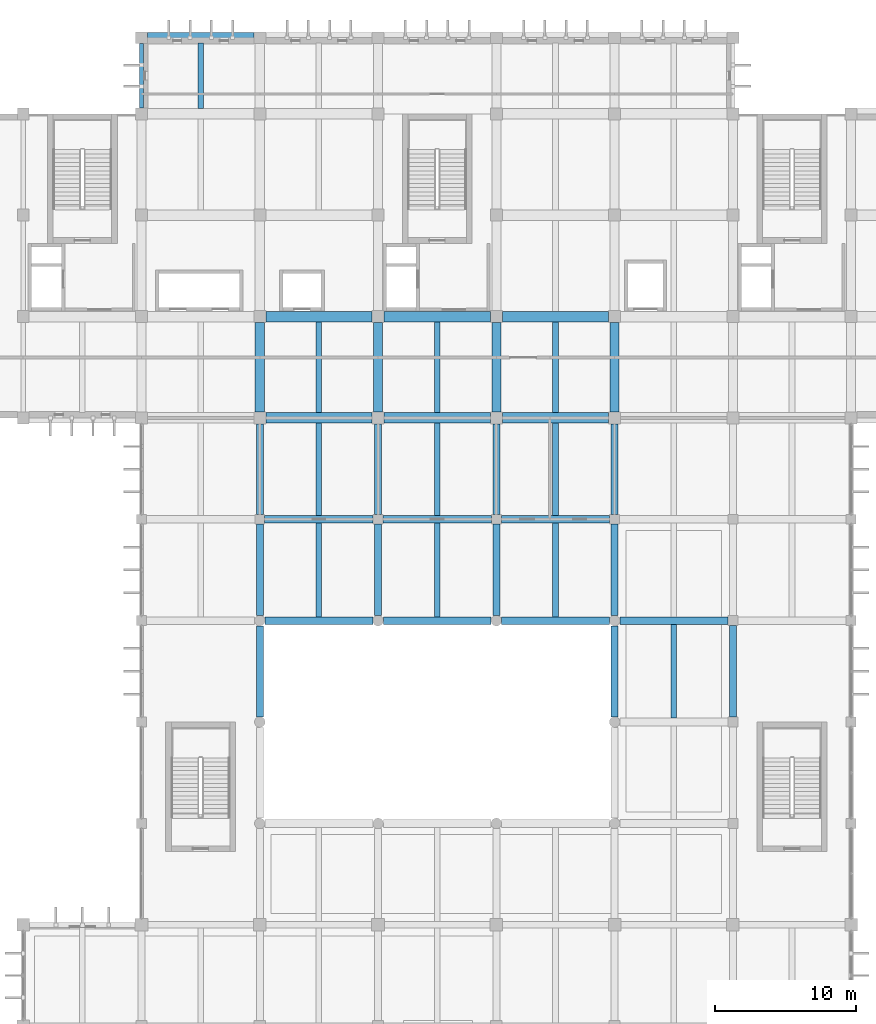
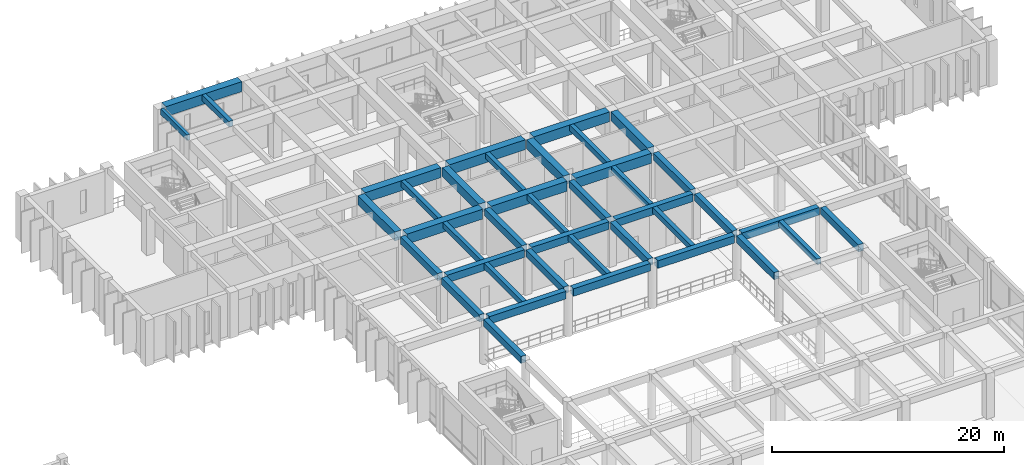
# One storey, part 20 of 51: 41 beams.
"""IFC4 building model written with IfcOpenShell, lengths in metres."""

from ifc_helpers import new_model, si_unit, direction, frame, origin, origin_2d, place, context, subcontext, project, spatial, rectangle, extrude, material, material_profile, profile_set, type_object, element, save


model = new_model("IFC4")

# Units and contexts
model_context = context("Model", 3, precision=1e-05, world=origin(), true_north=direction((0.0, 1.0)))
body_context = subcontext(model_context, "Body", "Model", "MODEL_VIEW")
ifc_project = project(units=[si_unit("LENGTHUNIT", "METRE"), si_unit("AREAUNIT", "SQUARE_METRE"), si_unit("VOLUMEUNIT", "CUBIC_METRE"), si_unit("PLANEANGLEUNIT", "RADIAN"), si_unit("MASSUNIT", "GRAM", prefix="KILO")], contexts=[model_context])

# Site, building, storey
site_placement = place(None, origin())
site = spatial("IfcSite", under=ifc_project, at=site_placement, CompositionType="ELEMENT")
building_placement = place(site_placement, origin())
building = spatial("IfcBuilding", under=site, at=building_placement, Name="Kenerak Square Central Library", CompositionType="ELEMENT")
storey_placement = place(building_placement, frame((0.0, 0.0, 9.60009765625)))
storey = spatial("IfcBuildingStorey", under=building, at=storey_placement, Name="L02", CompositionType="ELEMENT", Elevation=9.60009765625)

# Beams
ifc_material_1 = material(Name="Concrete C45/55", Category="concrete")
ifc_material_profile_1 = material_profile(ifc_material_1, rectangle(XDim=0.64990234375, YDim=0.949951171875, at=origin_2d()), Name="RC 650x950")
ifc_profile_set_1 = profile_set([ifc_material_profile_1], Name="Concrete C45/55")
beam_type_1 = type_object("IfcBeamType", Name="Book Stack Girder B-02 RC 650x950 C45/55", PredefinedType="BEAM", material=ifc_profile_set_1)
for number, where, z_axis, x_axis, name in (
    (1, (75.199951171875, 89.22509765625, 4.324951171875), (0.0, 1.0, 0.0), (-1.0, 0.0, 0.0), "Beam B-02 L02 1303"),
    (2, (83.60009765625, 89.22509765625, 4.324951171875), (0.0, 1.0, 0.0), (-1.0, 0.0, 0.0), "Beam B-02 L02 1311"),
    (3, (92.0, 89.22509765625, 4.324951171875), (0.0, 1.0, 0.0), (-1.0, 0.0, 0.0), "Beam B-02 L02 1319"),
    (4, (100.39990234375, 89.22509765625, 4.324951171875), (0.0, 1.0, 0.0), (-1.0, 0.0, 0.0), "Beam B-02 L02 1329"),
):
    element("IfcBeam", number, at=place(storey_placement, frame(where, z_axis=z_axis, x_axis=x_axis)), inside=storey, type_object=beam_type_1, Name=name, PredefinedType="BEAM", context=body_context, shape_type="SweptSolid", body=[
        extrude(rectangle(XDim=0.64990234375, YDim=0.949951171875, at=origin_2d()), origin(), (0.0, 0.0, 1.0), 6.349853515625),
    ])
ifc_material_profile_2 = material_profile(ifc_material_1, rectangle(XDim=0.75, YDim=1.050048828125, at=origin_2d()), Name="RC 750x1050")
ifc_profile_set_2 = profile_set([ifc_material_profile_2], Name="Concrete C45/55")
beam_type_2 = type_object("IfcBeamType", Name="Compact Stack Girder B-01 RC 750x1050 C45/55", PredefinedType="BEAM", material=ifc_profile_set_2)
for number, where, z_axis, x_axis, name in (
    (5, (75.625, 88.800048828125, 4.27490234375), (1.0, 0.0, 0.0), (0.0, 1.0, 0.0), "Beam B-01 L02 1244"),
    (6, (84.02490234375, 88.800048828125, 4.27490234375), (1.0, 0.0, 0.0), (0.0, 1.0, 0.0), "Beam B-01 L02 1245"),
    (7, (92.425048828125, 88.800048828125, 4.27490234375), (1.0, 0.0, 0.0), (0.0, 1.0, 0.0), "Beam B-01 L02 1246"),
    (8, (75.625, 96.0, 4.27490234375), (1.0, 0.0, 0.0), (0.0, 1.0, 0.0), "Beam B-01 L02 1252"),
    (9, (84.02490234375, 96.0, 4.27490234375), (1.0, 0.0, 0.0), (0.0, 1.0, 0.0), "Beam B-01 L02 1253"),
    (10, (92.425048828125, 96.0, 4.27490234375), (1.0, 0.0, 0.0), (0.0, 1.0, 0.0), "Beam B-01 L02 1254"),
):
    element("IfcBeam", number, at=place(storey_placement, frame(where, z_axis=z_axis, x_axis=x_axis)), inside=storey, type_object=beam_type_2, Name=name, PredefinedType="BEAM", context=body_context, shape_type="SweptSolid", body=[
        extrude(rectangle(XDim=0.75, YDim=1.050048828125, at=origin_2d()), origin(), (0.0, 0.0, 1.0), 7.550048828125),
    ])
beam_1_placement = place(storey_placement, frame((67.22509765625, 115.800048828125, 4.27490234375), z_axis=(1.0, 0.0, 0.0), x_axis=(0.0, 1.0, 0.0)))
element("IfcBeam", 11, at=beam_1_placement, inside=storey, type_object=beam_type_2, Name="Beam B-01 L02 1268", PredefinedType="BEAM", context=body_context, shape_type="SweptSolid", body=[
    extrude(rectangle(XDim=0.75, YDim=1.050048828125, at=origin_2d()), origin(), (0.0, 0.0, 1.0), 7.5498046875),
])
ifc_material_2 = material(Name="Concrete C40/50", Category="concrete")
ifc_material_profile_3 = material_profile(ifc_material_2, rectangle(XDim=0.300048828125, YDim=0.60009765625, at=origin_2d()), Name="RC 300x600")
ifc_profile_set_3 = profile_set([ifc_material_profile_3], Name="Concrete C40/50")
beam_type_3 = type_object("IfcBeamType", Name="Courtyard Spandrel Beam SP-02 RC 300x600 C40/50", PredefinedType="SPANDREL", material=ifc_profile_set_3)
beam_2_placement = place(storey_placement, frame((66.800048828125, 110.824951171875, 4.5), z_axis=(0.0, 1.0, 0.0), x_axis=(-1.0, 0.0, 0.0)))
element("IfcBeam", 12, at=beam_2_placement, inside=storey, type_object=beam_type_3, Name="Beam SP-02 L02 1296", PredefinedType="SPANDREL", context=body_context, shape_type="SweptSolid", body=[
    extrude(rectangle(XDim=0.300048828125, YDim=0.60009765625, at=origin_2d()), origin(), (0.0, 0.0, 1.0), 4.550048828125),
])
ifc_material_profile_4 = material_profile(ifc_material_2, rectangle(XDim=0.550048828125, YDim=0.800048828125, at=origin_2d()), Name="RC 550x800")
ifc_profile_set_4 = profile_set([ifc_material_profile_4], Name="Concrete C40/50")
beam_type_4 = type_object("IfcBeamType", Name="Primary Reading Beam B-04 RC 550x800 C40/50", PredefinedType="BEAM", material=ifc_profile_set_4)
beam_3_placement = place(storey_placement, frame((75.574951171875, 74.39990234375, 4.39990234375), z_axis=(1.0, 0.0, 0.0), x_axis=(0.0, 1.0, 0.0)))
element("IfcBeam", 13, at=beam_3_placement, inside=storey, type_object=beam_type_4, Name="Beam B-04 L02 1231", PredefinedType="BEAM", context=body_context, shape_type="SweptSolid", body=[
    extrude(rectangle(XDim=0.550048828125, YDim=0.800048828125, at=origin_2d()), origin(), (0.0, 0.0, 1.0), 7.650146484375),
])
for number, where, z_axis, x_axis, name in (
    (14, (83.97509765625, 74.39990234375, 4.39990234375), (1.0, 0.0, 0.0), (0.0, 1.0, 0.0), "Beam B-04 L02 1232"),
    (15, (92.375, 74.39990234375, 4.39990234375), (1.0, 0.0, 0.0), (0.0, 1.0, 0.0), "Beam B-04 L02 1233"),
):
    element("IfcBeam", number, at=place(storey_placement, frame(where, z_axis=z_axis, x_axis=x_axis)), inside=storey, type_object=beam_type_4, Name=name, PredefinedType="BEAM", context=body_context, shape_type="SweptSolid", body=[
        extrude(rectangle(XDim=0.550048828125, YDim=0.800048828125, at=origin_2d()), origin(), (0.0, 0.0, 1.0), 7.64990234375),
    ])
beam_4_placement = place(storey_placement, frame((100.77490234375, 74.39990234375, 4.39990234375), z_axis=(1.0, 0.0, 0.0), x_axis=(0.0, 1.0, 0.0)))
element("IfcBeam", 16, at=beam_4_placement, inside=storey, type_object=beam_type_4, Name="Beam B-04 L02 1234", PredefinedType="BEAM", context=body_context, shape_type="SweptSolid", body=[
    extrude(rectangle(XDim=0.550048828125, YDim=0.800048828125, at=origin_2d()), origin(), (0.0, 0.0, 1.0), 7.675048828125),
])
for number, where, z_axis, x_axis, name in (
    (17, (75.550048828125, 81.60009765625, 4.39990234375), (1.0, 0.0, 0.0), (0.0, 1.0, 0.0), "Beam B-04 L02 1237"),
    (18, (83.949951171875, 81.60009765625, 4.39990234375), (1.0, 0.0, 0.0), (0.0, 1.0, 0.0), "Beam B-04 L02 1238"),
    (19, (92.35009765625, 81.60009765625, 4.39990234375), (1.0, 0.0, 0.0), (0.0, 1.0, 0.0), "Beam B-04 L02 1239"),
):
    element("IfcBeam", number, at=place(storey_placement, frame(where, z_axis=z_axis, x_axis=x_axis)), inside=storey, type_object=beam_type_4, Name=name, PredefinedType="BEAM", context=body_context, shape_type="SweptSolid", body=[
        extrude(rectangle(XDim=0.550048828125, YDim=0.800048828125, at=origin_2d()), origin(), (0.0, 0.0, 1.0), 7.699951171875),
    ])
ifc_material_profile_5 = material_profile(ifc_material_2, rectangle(XDim=0.39990234375, YDim=0.60009765625, at=origin_2d()), Name="RC 400x600")
ifc_profile_set_5 = profile_set([ifc_material_profile_5], Name="Concrete C40/50")
beam_type_5 = type_object("IfcBeamType", Name="Secondary Floor Joist J-01 RC 400x600 C40/50", PredefinedType="JOIST", material=ifc_profile_set_5)
beam_5_placement = place(storey_placement, frame((71.0, 110.77490234375, 4.5), z_axis=(0.0, 1.0, 0.0), x_axis=(-1.0, 0.0, 0.0)))
element("IfcBeam", 20, at=beam_5_placement, inside=storey, type_object=beam_type_5, Name="Joist J-01 L02 1378", PredefinedType="JOIST", context=body_context, shape_type="SweptSolid", body=[
    extrude(rectangle(XDim=0.39990234375, YDim=0.60009765625, at=origin_2d()), origin(), (0.0, 0.0, 1.0), 4.650146484375),
])
beam_6_placement = place(storey_placement, frame((79.39990234375, 74.675048828125, 4.5), z_axis=(0.0, 1.0, 0.0), x_axis=(-1.0, 0.0, 0.0)))
element("IfcBeam", 21, at=beam_6_placement, inside=storey, type_object=beam_type_5, Name="Joist J-01 L02 1381", PredefinedType="JOIST", context=body_context, shape_type="SweptSolid", body=[
    extrude(rectangle(XDim=0.39990234375, YDim=0.60009765625, at=origin_2d()), origin(), (0.0, 0.0, 1.0), 6.64990234375),
])
beam_7_placement = place(storey_placement, frame((79.39990234375, 81.875, 4.5), z_axis=(0.0, 1.0, 0.0), x_axis=(-1.0, 0.0, 0.0)))
element("IfcBeam", 22, at=beam_7_placement, inside=storey, type_object=beam_type_5, Name="Joist J-01 L02 1382", PredefinedType="JOIST", context=body_context, shape_type="SweptSolid", body=[
    extrude(rectangle(XDim=0.39990234375, YDim=0.60009765625, at=origin_2d()), origin(), (0.0, 0.0, 1.0), 6.550048828125),
])
beam_8_placement = place(storey_placement, frame((79.39990234375, 89.175048828125, 4.5), z_axis=(0.0, 1.0, 0.0), x_axis=(-1.0, 0.0, 0.0)))
element("IfcBeam", 23, at=beam_8_placement, inside=storey, type_object=beam_type_5, Name="Joist J-01 L02 1383", PredefinedType="JOIST", context=body_context, shape_type="SweptSolid", body=[
    extrude(rectangle(XDim=0.39990234375, YDim=0.60009765625, at=origin_2d()), origin(), (0.0, 0.0, 1.0), 6.449951171875),
])
beam_9_placement = place(storey_placement, frame((87.800048828125, 74.675048828125, 4.5), z_axis=(0.0, 1.0, 0.0), x_axis=(-1.0, 0.0, 0.0)))
element("IfcBeam", 24, at=beam_9_placement, inside=storey, type_object=beam_type_5, Name="Joist J-01 L02 1388", PredefinedType="JOIST", context=body_context, shape_type="SweptSolid", body=[
    extrude(rectangle(XDim=0.39990234375, YDim=0.60009765625, at=origin_2d()), origin(), (0.0, 0.0, 1.0), 6.64990234375),
])
beam_10_placement = place(storey_placement, frame((87.800048828125, 81.875, 4.5), z_axis=(0.0, 1.0, 0.0), x_axis=(-1.0, 0.0, 0.0)))
element("IfcBeam", 25, at=beam_10_placement, inside=storey, type_object=beam_type_5, Name="Joist J-01 L02 1389", PredefinedType="JOIST", context=body_context, shape_type="SweptSolid", body=[
    extrude(rectangle(XDim=0.39990234375, YDim=0.60009765625, at=origin_2d()), origin(), (0.0, 0.0, 1.0), 6.550048828125),
])
beam_11_placement = place(storey_placement, frame((87.800048828125, 89.175048828125, 4.5), z_axis=(0.0, 1.0, 0.0), x_axis=(-1.0, 0.0, 0.0)))
element("IfcBeam", 26, at=beam_11_placement, inside=storey, type_object=beam_type_5, Name="Joist J-01 L02 1390", PredefinedType="JOIST", context=body_context, shape_type="SweptSolid", body=[
    extrude(rectangle(XDim=0.39990234375, YDim=0.60009765625, at=origin_2d()), origin(), (0.0, 0.0, 1.0), 6.449951171875),
])
beam_12_placement = place(storey_placement, frame((96.199951171875, 74.675048828125, 4.5), z_axis=(0.0, 1.0, 0.0), x_axis=(-1.0, 0.0, 0.0)))
element("IfcBeam", 27, at=beam_12_placement, inside=storey, type_object=beam_type_5, Name="Joist J-01 L02 1393", PredefinedType="JOIST", context=body_context, shape_type="SweptSolid", body=[
    extrude(rectangle(XDim=0.39990234375, YDim=0.60009765625, at=origin_2d()), origin(), (0.0, 0.0, 1.0), 6.64990234375),
])
beam_13_placement = place(storey_placement, frame((96.199951171875, 81.875, 4.5), z_axis=(0.0, 1.0, 0.0), x_axis=(-1.0, 0.0, 0.0)))
element("IfcBeam", 28, at=beam_13_placement, inside=storey, type_object=beam_type_5, Name="Joist J-01 L02 1394", PredefinedType="JOIST", context=body_context, shape_type="SweptSolid", body=[
    extrude(rectangle(XDim=0.39990234375, YDim=0.60009765625, at=origin_2d()), origin(), (0.0, 0.0, 1.0), 6.550048828125),
])
beam_14_placement = place(storey_placement, frame((96.199951171875, 89.175048828125, 4.5), z_axis=(0.0, 1.0, 0.0), x_axis=(-1.0, 0.0, 0.0)))
element("IfcBeam", 29, at=beam_14_placement, inside=storey, type_object=beam_type_5, Name="Joist J-01 L02 1395", PredefinedType="JOIST", context=body_context, shape_type="SweptSolid", body=[
    extrude(rectangle(XDim=0.39990234375, YDim=0.60009765625, at=origin_2d()), origin(), (0.0, 0.0, 1.0), 6.449951171875),
])
beam_15_placement = place(storey_placement, frame((104.60009765625, 67.47509765625, 4.5), z_axis=(0.0, 1.0, 0.0), x_axis=(-1.0, 0.0, 0.0)))
element("IfcBeam", 30, at=beam_15_placement, inside=storey, type_object=beam_type_5, Name="Joist J-01 L02 1402", PredefinedType="JOIST", context=body_context, shape_type="SweptSolid", body=[
    extrude(rectangle(XDim=0.39990234375, YDim=0.60009765625, at=origin_2d()), origin(), (0.0, 0.0, 1.0), 6.64990234375),
])
ifc_material_profile_6 = material_profile(ifc_material_2, rectangle(XDim=0.5, YDim=0.75, at=origin_2d()), Name="RC 500x750")
ifc_profile_set_6 = profile_set([ifc_material_profile_6], Name="Concrete C40/50")
beam_type_6 = type_object("IfcBeamType", Name="Transverse Frame Beam B-05 RC 500x750 C40/50", PredefinedType="BEAM", material=ifc_profile_set_6)
beam_16_placement = place(storey_placement, frame((75.199951171875, 67.574951171875, 4.4248046875), z_axis=(0.0, 1.0, 0.0), x_axis=(-1.0, 0.0, 0.0)))
element("IfcBeam", 31, at=beam_16_placement, inside=storey, type_object=beam_type_6, Name="Beam B-05 L02 1300", PredefinedType="BEAM", context=body_context, shape_type="SweptSolid", body=[
    extrude(rectangle(XDim=0.5, YDim=0.75, at=origin_2d()), origin(), (0.0, 0.0, 1.0), 6.449951171875),
])
beam_17_placement = place(storey_placement, frame((75.199951171875, 74.77490234375, 4.4248046875), z_axis=(0.0, 1.0, 0.0), x_axis=(-1.0, 0.0, 0.0)))
element("IfcBeam", 32, at=beam_17_placement, inside=storey, type_object=beam_type_6, Name="Beam B-05 L02 1301", PredefinedType="BEAM", context=body_context, shape_type="SweptSolid", body=[
    extrude(rectangle(XDim=0.5, YDim=0.75, at=origin_2d()), origin(), (0.0, 0.0, 1.0), 6.47509765625),
])
beam_18_placement = place(storey_placement, frame((75.199951171875, 81.949951171875, 4.4248046875), z_axis=(0.0, 1.0, 0.0), x_axis=(-1.0, 0.0, 0.0)))
element("IfcBeam", 33, at=beam_18_placement, inside=storey, type_object=beam_type_6, Name="Beam B-05 L02 1302", PredefinedType="BEAM", context=body_context, shape_type="SweptSolid", body=[
    extrude(rectangle(XDim=0.5, YDim=0.75, at=origin_2d()), origin(), (0.0, 0.0, 1.0), 6.425048828125),
])
beam_19_placement = place(storey_placement, frame((83.60009765625, 74.77490234375, 4.4248046875), z_axis=(0.0, 1.0, 0.0), x_axis=(-1.0, 0.0, 0.0)))
element("IfcBeam", 34, at=beam_19_placement, inside=storey, type_object=beam_type_6, Name="Beam B-05 L02 1309", PredefinedType="BEAM", context=body_context, shape_type="SweptSolid", body=[
    extrude(rectangle(XDim=0.5, YDim=0.75, at=origin_2d()), origin(), (0.0, 0.0, 1.0), 6.47509765625),
])
beam_20_placement = place(storey_placement, frame((83.60009765625, 81.949951171875, 4.4248046875), z_axis=(0.0, 1.0, 0.0), x_axis=(-1.0, 0.0, 0.0)))
element("IfcBeam", 35, at=beam_20_placement, inside=storey, type_object=beam_type_6, Name="Beam B-05 L02 1310", PredefinedType="BEAM", context=body_context, shape_type="SweptSolid", body=[
    extrude(rectangle(XDim=0.5, YDim=0.75, at=origin_2d()), origin(), (0.0, 0.0, 1.0), 6.425048828125),
])
beam_21_placement = place(storey_placement, frame((92.0, 74.77490234375, 4.4248046875), z_axis=(0.0, 1.0, 0.0), x_axis=(-1.0, 0.0, 0.0)))
element("IfcBeam", 36, at=beam_21_placement, inside=storey, type_object=beam_type_6, Name="Beam B-05 L02 1317", PredefinedType="BEAM", context=body_context, shape_type="SweptSolid", body=[
    extrude(rectangle(XDim=0.5, YDim=0.75, at=origin_2d()), origin(), (0.0, 0.0, 1.0), 6.47509765625),
])
beam_22_placement = place(storey_placement, frame((92.0, 81.949951171875, 4.4248046875), z_axis=(0.0, 1.0, 0.0), x_axis=(-1.0, 0.0, 0.0)))
element("IfcBeam", 37, at=beam_22_placement, inside=storey, type_object=beam_type_6, Name="Beam B-05 L02 1318", PredefinedType="BEAM", context=body_context, shape_type="SweptSolid", body=[
    extrude(rectangle(XDim=0.5, YDim=0.75, at=origin_2d()), origin(), (0.0, 0.0, 1.0), 6.425048828125),
])
beam_23_placement = place(storey_placement, frame((100.39990234375, 67.574951171875, 4.4248046875), z_axis=(0.0, 1.0, 0.0), x_axis=(-1.0, 0.0, 0.0)))
element("IfcBeam", 38, at=beam_23_placement, inside=storey, type_object=beam_type_6, Name="Beam B-05 L02 1326", PredefinedType="BEAM", context=body_context, shape_type="SweptSolid", body=[
    extrude(rectangle(XDim=0.5, YDim=0.75, at=origin_2d()), origin(), (0.0, 0.0, 1.0), 6.449951171875),
])
beam_24_placement = place(storey_placement, frame((100.39990234375, 74.77490234375, 4.4248046875), z_axis=(0.0, 1.0, 0.0), x_axis=(-1.0, 0.0, 0.0)))
element("IfcBeam", 39, at=beam_24_placement, inside=storey, type_object=beam_type_6, Name="Beam B-05 L02 1327", PredefinedType="BEAM", context=body_context, shape_type="SweptSolid", body=[
    extrude(rectangle(XDim=0.5, YDim=0.75, at=origin_2d()), origin(), (0.0, 0.0, 1.0), 6.47509765625),
])
beam_25_placement = place(storey_placement, frame((100.39990234375, 81.949951171875, 4.4248046875), z_axis=(0.0, 1.0, 0.0), x_axis=(-1.0, 0.0, 0.0)))
element("IfcBeam", 40, at=beam_25_placement, inside=storey, type_object=beam_type_6, Name="Beam B-05 L02 1328", PredefinedType="BEAM", context=body_context, shape_type="SweptSolid", body=[
    extrude(rectangle(XDim=0.5, YDim=0.75, at=origin_2d()), origin(), (0.0, 0.0, 1.0), 6.425048828125),
])
beam_26_placement = place(storey_placement, frame((108.800048828125, 67.550048828125, 4.4248046875), z_axis=(0.0, 1.0, 0.0), x_axis=(-1.0, 0.0, 0.0)))
element("IfcBeam", 41, at=beam_26_placement, inside=storey, type_object=beam_type_6, Name="Beam B-05 L02 1336", PredefinedType="BEAM", context=body_context, shape_type="SweptSolid", body=[
    extrude(rectangle(XDim=0.5, YDim=0.75, at=origin_2d()), origin(), (0.0, 0.0, 1.0), 6.5),
])

save(model, "model.ifc")
